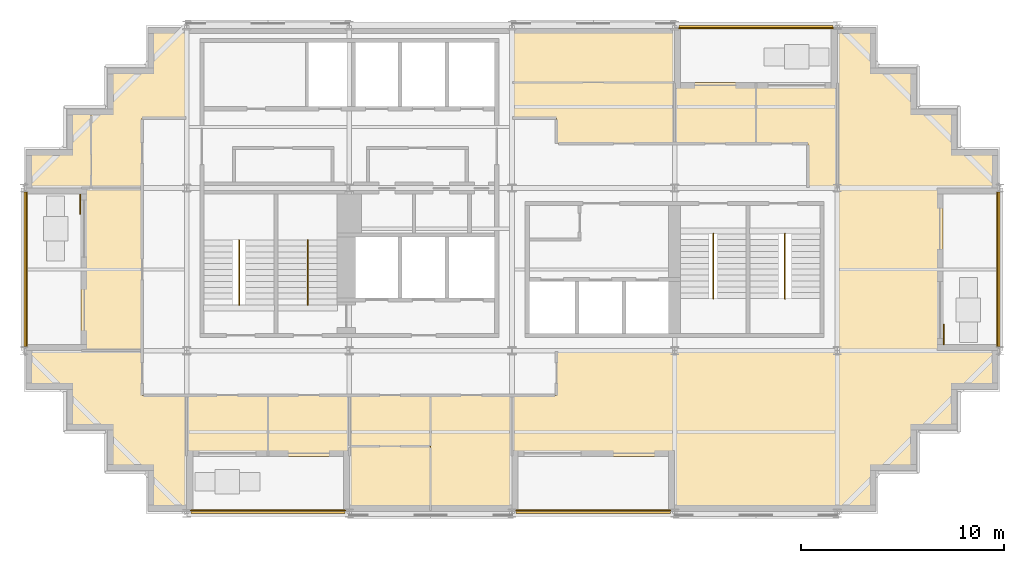
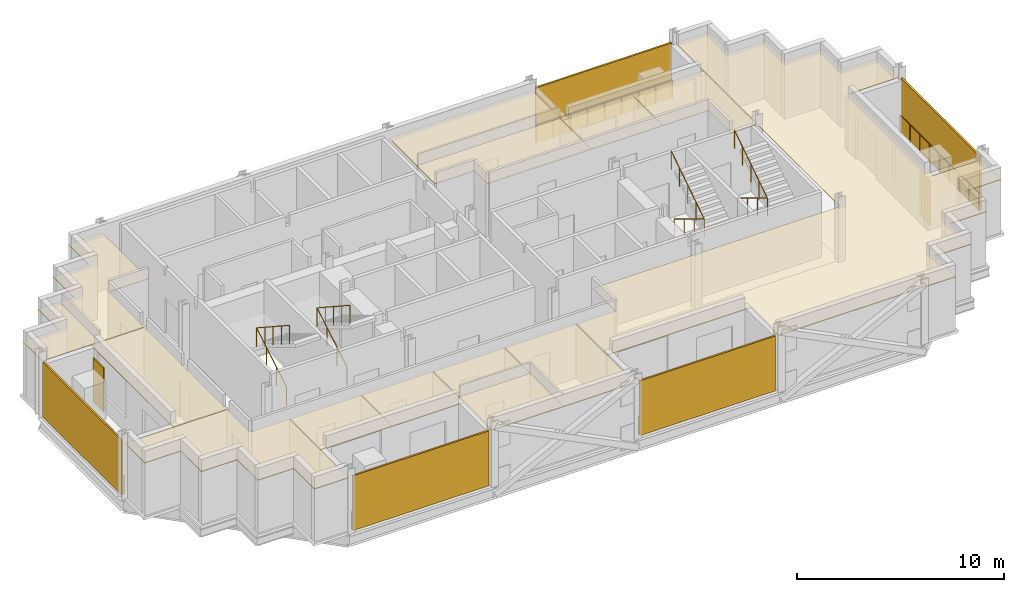
# One storey, part 7 of 8: 14 coverings, 9 railings, 7 shading devices.
"""IFC4 building model written with IfcOpenShell, lengths in metres."""

from ifc_helpers import new_model, si_unit, direction, frame, origin, origin_2d, place, context, subcontext, project, spatial, polyline, rectangle, circle, outline, extrude, material, layer, layer_set, type_object, element, save


model = new_model("IFC4")

# Units and contexts
model_context = context("Model", 3, precision=1e-05, world=origin(), true_north=direction((0.0, 1.0)))
body_context = subcontext(model_context, "Body", "Model", "MODEL_VIEW")
ifc_project = project(units=[si_unit("LENGTHUNIT", "METRE"), si_unit("AREAUNIT", "SQUARE_METRE"), si_unit("VOLUMEUNIT", "CUBIC_METRE"), si_unit("PLANEANGLEUNIT", "RADIAN"), si_unit("MASSUNIT", "GRAM", prefix="KILO")], contexts=[model_context])

# Site, building, storey
site_placement = place(None, origin())
site = spatial("IfcSite", under=ifc_project, at=site_placement, CompositionType="ELEMENT")
building_placement = place(site_placement, origin())
building = spatial("IfcBuilding", under=site, at=building_placement, Name="Immortelle Media Tower", CompositionType="ELEMENT")
storey_placement = place(building_placement, frame((0.0, 0.0, 209.0)))
storey = spatial("IfcBuildingStorey", under=building, at=storey_placement, Name="L44", CompositionType="ELEMENT", Elevation=209.0)

# Railings
ifc_material_1 = material(Name="Powder-coated aluminium fretwork panel, laminated glass backing", Category="aluminium")
railing_type_1 = type_object("IfcRailingType", Name="Fretwork balustrade 1100", PredefinedType="BALUSTRADE", material=ifc_material_1)
railing_1_placement = place(storey_placement, frame((8.200439453125, 0.139892578125, 0.0)))
element("IfcRailing", 1, at=railing_1_placement, inside=storey, type_object=railing_type_1, Name="Fretwork balustrade L44 S0", PredefinedType="BALUSTRADE", context=body_context, shape_type="SweptSolid", body=[
    extrude(circle(Radius=0.02490234375, at=origin_2d()), frame((0.0, 0.0, 1.0751953125), z_axis=(1.0, 0.0, 0.0), x_axis=(0.0, 1.0, 0.0)), (0.0, 0.0, 1.0), 7.593994140625),
    extrude(circle(Radius=0.02001953125, at=origin_2d()), origin(), (0.0, 0.0, 1.0), 1.050048828125),
    extrude(circle(Radius=0.02001953125, at=origin_2d()), frame((0.94921875, 0.0, 0.0)), (0.0, 0.0, 1.0), 1.050048828125),
    extrude(circle(Radius=0.02001953125, at=origin_2d()), frame((1.8984375, 0.0, 0.0)), (0.0, 0.0, 1.0), 1.050048828125),
    extrude(circle(Radius=0.02001953125, at=origin_2d()), frame((2.84765625, 0.0, 0.0)), (0.0, 0.0, 1.0), 1.050048828125),
    extrude(circle(Radius=0.02001953125, at=origin_2d()), frame((3.796875, 0.0, 0.0)), (0.0, 0.0, 1.0), 1.050048828125),
    extrude(circle(Radius=0.02001953125, at=origin_2d()), frame((4.746337890625, 0.0, 0.0)), (0.0, 0.0, 1.0), 1.050048828125),
    extrude(circle(Radius=0.02001953125, at=origin_2d()), frame((5.695556640625, 0.0, 0.0)), (0.0, 0.0, 1.0), 1.050048828125),
    extrude(circle(Radius=0.02001953125, at=origin_2d()), frame((6.644775390625, 0.0, 0.0)), (0.0, 0.0, 1.0), 1.050048828125),
    extrude(circle(Radius=0.02001953125, at=origin_2d()), frame((7.593994140625, 0.0, 0.0)), (0.0, 0.0, 1.0), 1.050048828125),
])
railing_2_placement = place(storey_placement, frame((24.20556640625, 0.139892578125, 0.0)))
element("IfcRailing", 2, at=railing_2_placement, inside=storey, type_object=railing_type_1, Name="Fretwork balustrade L44 S2", PredefinedType="BALUSTRADE", context=body_context, shape_type="SweptSolid", body=[
    extrude(circle(Radius=0.02490234375, at=origin_2d()), frame((0.0, 0.0, 1.0751953125), z_axis=(1.0, 0.0, 0.0), x_axis=(0.0, 1.0, 0.0)), (0.0, 0.0, 1.0), 7.5888671875),
    extrude(circle(Radius=0.02001953125, at=origin_2d()), origin(), (0.0, 0.0, 1.0), 1.050048828125),
    extrude(circle(Radius=0.02001953125, at=origin_2d()), frame((0.94873046875, 0.0, 0.0)), (0.0, 0.0, 1.0), 1.050048828125),
    extrude(circle(Radius=0.02001953125, at=origin_2d()), frame((1.897216796875, 0.0, 0.0)), (0.0, 0.0, 1.0), 1.050048828125),
    extrude(circle(Radius=0.02001953125, at=origin_2d()), frame((2.845703125, 0.0, 0.0)), (0.0, 0.0, 1.0), 1.050048828125),
    extrude(circle(Radius=0.02001953125, at=origin_2d()), frame((3.79443359375, 0.0, 0.0)), (0.0, 0.0, 1.0), 1.050048828125),
    extrude(circle(Radius=0.02001953125, at=origin_2d()), frame((4.7431640625, 0.0, 0.0)), (0.0, 0.0, 1.0), 1.050048828125),
    extrude(circle(Radius=0.02001953125, at=origin_2d()), frame((5.691650390625, 0.0, 0.0)), (0.0, 0.0, 1.0), 1.050048828125),
    extrude(circle(Radius=0.02001953125, at=origin_2d()), frame((6.64013671875, 0.0, 0.0)), (0.0, 0.0, 1.0), 1.050048828125),
    extrude(circle(Radius=0.02001953125, at=origin_2d()), frame((7.5888671875, 0.0, 0.0)), (0.0, 0.0, 1.0), 1.050048828125),
])
railing_3_placement = place(storey_placement, frame((47.860107421875, 8.199462890625, 0.0)))
element("IfcRailing", 3, at=railing_3_placement, inside=storey, type_object=railing_type_1, Name="Fretwork balustrade L44 E0", PredefinedType="BALUSTRADE", context=body_context, shape_type="SweptSolid", body=[
    extrude(circle(Radius=0.02490234375, at=origin_2d()), frame((0.0, 0.0, 1.0751953125), z_axis=(0.0, 1.0, 0.0), x_axis=(-1.0, 0.0, 0.0)), (0.0, 0.0, 1.0), 7.60107421875),
    extrude(circle(Radius=0.02001953125, at=origin_2d()), origin(), (0.0, 0.0, 1.0), 1.050048828125),
    extrude(circle(Radius=0.02001953125, at=origin_2d()), frame((0.0, 0.9501953125, 0.0)), (0.0, 0.0, 1.0), 1.050048828125),
    extrude(circle(Radius=0.02001953125, at=origin_2d()), frame((0.0, 1.900390625, 0.0)), (0.0, 0.0, 1.0), 1.050048828125),
    extrude(circle(Radius=0.02001953125, at=origin_2d()), frame((0.0, 2.850341796875, 0.0)), (0.0, 0.0, 1.0), 1.050048828125),
    extrude(circle(Radius=0.02001953125, at=origin_2d()), frame((0.0, 3.800537109375, 0.0)), (0.0, 0.0, 1.0), 1.050048828125),
    extrude(circle(Radius=0.02001953125, at=origin_2d()), frame((0.0, 4.750732421875, 0.0)), (0.0, 0.0, 1.0), 1.050048828125),
    extrude(circle(Radius=0.02001953125, at=origin_2d()), frame((0.0, 5.70068359375, 0.0)), (0.0, 0.0, 1.0), 1.050048828125),
    extrude(circle(Radius=0.02001953125, at=origin_2d()), frame((0.0, 6.65087890625, 0.0)), (0.0, 0.0, 1.0), 1.050048828125),
    extrude(circle(Radius=0.02001953125, at=origin_2d()), frame((0.0, 7.60107421875, 0.0)), (0.0, 0.0, 1.0), 1.050048828125),
])
railing_4_placement = place(storey_placement, frame((39.799560546875, 23.860107421875, 0.0)))
element("IfcRailing", 4, at=railing_4_placement, inside=storey, type_object=railing_type_1, Name="Fretwork balustrade L44 N0", PredefinedType="BALUSTRADE", context=body_context, shape_type="SweptSolid", body=[
    extrude(circle(Radius=0.02490234375, at=origin_2d()), frame((0.0, 0.0, 1.0751953125), z_axis=(-1.0, 0.0, 0.0), x_axis=(0.0, -1.0, 0.0)), (0.0, 0.0, 1.0), 7.593994140625),
    extrude(circle(Radius=0.02001953125, at=origin_2d()), origin(), (0.0, 0.0, 1.0), 1.050048828125),
    extrude(circle(Radius=0.02001953125, at=origin_2d()), frame((-0.94921875, 0.0, 0.0)), (0.0, 0.0, 1.0), 1.050048828125),
    extrude(circle(Radius=0.02001953125, at=origin_2d()), frame((-1.8984375, 0.0, 0.0)), (0.0, 0.0, 1.0), 1.050048828125),
    extrude(circle(Radius=0.02001953125, at=origin_2d()), frame((-2.84765625, 0.0, 0.0)), (0.0, 0.0, 1.0), 1.050048828125),
    extrude(circle(Radius=0.02001953125, at=origin_2d()), frame((-3.796875, 0.0, 0.0)), (0.0, 0.0, 1.0), 1.050048828125),
    extrude(circle(Radius=0.02001953125, at=origin_2d()), frame((-4.746337890625, 0.0, 0.0)), (0.0, 0.0, 1.0), 1.050048828125),
    extrude(circle(Radius=0.02001953125, at=origin_2d()), frame((-5.695556640625, 0.0, 0.0)), (0.0, 0.0, 1.0), 1.050048828125),
    extrude(circle(Radius=0.02001953125, at=origin_2d()), frame((-6.644775390625, 0.0, 0.0)), (0.0, 0.0, 1.0), 1.050048828125),
    extrude(circle(Radius=0.02001953125, at=origin_2d()), frame((-7.593994140625, 0.0, 0.0)), (0.0, 0.0, 1.0), 1.050048828125),
])
railing_5_placement = place(storey_placement, frame((0.139892578125, 15.800537109375, 0.0)))
element("IfcRailing", 5, at=railing_5_placement, inside=storey, type_object=railing_type_1, Name="Fretwork balustrade L44 W0", PredefinedType="BALUSTRADE", context=body_context, shape_type="SweptSolid", body=[
    extrude(circle(Radius=0.02490234375, at=origin_2d()), frame((0.0, 0.0, 1.0751953125), z_axis=(0.0, -1.0, 0.0), x_axis=(1.0, 0.0, 0.0)), (0.0, 0.0, 1.0), 7.60107421875),
    extrude(circle(Radius=0.02001953125, at=origin_2d()), origin(), (0.0, 0.0, 1.0), 1.050048828125),
    extrude(circle(Radius=0.02001953125, at=origin_2d()), frame((0.0, -0.9501953125, 0.0)), (0.0, 0.0, 1.0), 1.050048828125),
    extrude(circle(Radius=0.02001953125, at=origin_2d()), frame((0.0, -1.900390625, 0.0)), (0.0, 0.0, 1.0), 1.050048828125),
    extrude(circle(Radius=0.02001953125, at=origin_2d()), frame((0.0, -2.850341796875, 0.0)), (0.0, 0.0, 1.0), 1.050048828125),
    extrude(circle(Radius=0.02001953125, at=origin_2d()), frame((0.0, -3.800537109375, 0.0)), (0.0, 0.0, 1.0), 1.050048828125),
    extrude(circle(Radius=0.02001953125, at=origin_2d()), frame((0.0, -4.750732421875, 0.0)), (0.0, 0.0, 1.0), 1.050048828125),
    extrude(circle(Radius=0.02001953125, at=origin_2d()), frame((0.0, -5.70068359375, 0.0)), (0.0, 0.0, 1.0), 1.050048828125),
    extrude(circle(Radius=0.02001953125, at=origin_2d()), frame((0.0, -6.65087890625, 0.0)), (0.0, 0.0, 1.0), 1.050048828125),
    extrude(circle(Radius=0.02001953125, at=origin_2d()), frame((0.0, -7.60107421875, 0.0)), (0.0, 0.0, 1.0), 1.050048828125),
])

# Shading devices
ifc_material_2 = material(Name="Pale aluminium louvre blades", Category="aluminium")
ifc_layer_1 = layer(ifc_material_2, 0.10009765625)
ifc_layer_set_1 = layer_set([ifc_layer_1], Name="Pale aluminium louvre blades")
shading_device_type_1 = type_object("IfcShadingDeviceType", Name="Jalousie screen 100", PredefinedType="JALOUSIE", material=ifc_layer_set_1)
shading_device_1_placement = place(storey_placement, frame((11.99755859375, 0.050048828125, 0.0), z_axis=(0.0, 0.0, 1.0), x_axis=(1.0, 0.0, 0.0)))
element("IfcShadingDevice", 6, at=shading_device_1_placement, inside=storey, type_object=shading_device_type_1, Name="Jalousie screen L44 S0", PredefinedType="JALOUSIE", context=body_context, shape_type="SweptSolid", body=[
    extrude(rectangle(XDim=7.593994140625, YDim=0.10009765625, at=origin_2d()), origin(), (0.0, 0.0, 1.0), 3.238037109375),
])
shading_device_2_placement = place(storey_placement, frame((28.0, 0.050048828125, 0.0), z_axis=(0.0, 0.0, 1.0), x_axis=(1.0, 0.0, 0.0)))
element("IfcShadingDevice", 7, at=shading_device_2_placement, inside=storey, type_object=shading_device_type_1, Name="Jalousie screen L44 S2", PredefinedType="JALOUSIE", context=body_context, shape_type="SweptSolid", body=[
    extrude(rectangle(XDim=7.589111328125, YDim=0.10009765625, at=origin_2d()), origin(), (0.0, 0.0, 1.0), 3.238037109375),
])
shading_device_3_placement = place(storey_placement, frame((47.949951171875, 12.0, 0.0), z_axis=(0.0, 0.0, 1.0), x_axis=(0.0, 1.0, 0.0)))
element("IfcShadingDevice", 8, at=shading_device_3_placement, inside=storey, type_object=shading_device_type_1, Name="Jalousie screen L44 E0", PredefinedType="JALOUSIE", context=body_context, shape_type="SweptSolid", body=[
    extrude(rectangle(XDim=7.60107421875, YDim=0.10009765625, at=origin_2d()), origin(), (0.0, 0.0, 1.0), 3.238037109375),
])
shading_device_4_placement = place(storey_placement, frame((36.00244140625, 23.949951171875, 0.0), z_axis=(0.0, 0.0, 1.0), x_axis=(-1.0, 0.0, 0.0)))
element("IfcShadingDevice", 9, at=shading_device_4_placement, inside=storey, type_object=shading_device_type_1, Name="Jalousie screen L44 N0", PredefinedType="JALOUSIE", context=body_context, shape_type="SweptSolid", body=[
    extrude(rectangle(XDim=7.593994140625, YDim=0.10009765625, at=origin_2d()), origin(), (0.0, 0.0, 1.0), 3.238037109375),
])
shading_device_5_placement = place(storey_placement, frame((0.050048828125, 12.0, 0.0), z_axis=(0.0, 0.0, 1.0), x_axis=(0.0, -1.0, 0.0)))
element("IfcShadingDevice", 10, at=shading_device_5_placement, inside=storey, type_object=shading_device_type_1, Name="Jalousie screen L44 W0", PredefinedType="JALOUSIE", context=body_context, shape_type="SweptSolid", body=[
    extrude(rectangle(XDim=7.60107421875, YDim=0.10009765625, at=origin_2d()), origin(), (0.0, 0.0, 1.0), 3.238037109375),
])
ifc_material_3 = material(Name="Pale aluminium louvre blades in a folding frame", Category="aluminium")
ifc_layer_2 = layer(ifc_material_3, 0.050048828125)
ifc_layer_set_2 = layer_set([ifc_layer_2], Name="Pale aluminium louvre blades in a folding frame")
shading_device_type_2 = type_object("IfcShadingDeviceType", Name="Louvred loggia shutter", PredefinedType="SHUTTER", material=ifc_layer_set_2)
for number, where, z_axis, x_axis, name in (
    (11, (45.22509765625, 8.800048828125, 0.0), (0.0, 0.0, 1.0), (0.0, 1.0, 0.0), "Loggia shutter L44 E0"),
    (12, (2.77490234375, 15.199951171875, 0.0), (0.0, 0.0, 1.0), (0.0, -1.0, 0.0), "Loggia shutter L44 W0"),
):
    element("IfcShadingDevice", number, at=place(storey_placement, frame(where, z_axis=z_axis, x_axis=x_axis)), inside=storey, type_object=shading_device_type_2, Name=name, PredefinedType="SHUTTER", context=body_context, shape_type="SweptSolid", body=[
        extrude(rectangle(XDim=1.0, YDim=0.050048828125, at=origin_2d()), origin(), (0.0, 0.0, 1.0), 2.60009765625),
    ])

# Railings
ifc_material_4 = material(Name="Stainless steel AISI 316", Category="steel")
railing_type_2 = type_object("IfcRailingType", Name="Stair guard 1100", PredefinedType="GUARDRAIL", material=ifc_material_4)
for number, where, name in (
    (13, (10.574951171875, 10.5400390625, 0.173828125), "Stair guard SW1"),
    (14, (13.949951171875, 10.5400390625, 0.173828125), "Stair guard SW2"),
):
    element("IfcRailing", number, at=place(storey_placement, frame(where)), inside=storey, type_object=railing_type_2, Name=name, PredefinedType="GUARDRAIL", context=body_context, shape_type="SweptSolid", body=[
        extrude(circle(Radius=0.02392578125, at=origin_2d()), frame((0.0, 0.0, 1.076171875), z_axis=(0.0, 0.857582100076, 0.514347102285), x_axis=(-1.0, 0.0, 0.0)), (0.0, 0.0, 1.0), 3.381591796875),
        extrude(circle(Radius=0.02392578125, at=origin_2d()), frame((0.0, 2.89990234375, 2.8154296875), z_axis=(0.0, -0.836827423118, 0.547466769693), x_axis=(1.0, 0.0, 0.0)), (0.0, 0.0, 1.0), 3.81201171875),
        extrude(circle(Radius=0.02099609375, at=origin_2d()), origin(), (0.0, 0.0, 1.0), 1.052001953125),
        extrude(circle(Radius=0.02099609375, at=origin_2d()), frame((0.0, 0.966552734375, 0.579833984375)), (0.0, 0.0, 1.0), 1.052001953125),
        extrude(circle(Radius=0.02099609375, at=origin_2d()), frame((0.0, 1.933349609375, 1.159423828125)), (0.0, 0.0, 1.0), 1.052001953125),
        extrude(circle(Radius=0.02099609375, at=origin_2d()), frame((0.0, 2.89990234375, 1.7392578125)), (0.0, 0.0, 1.0), 1.052001953125),
        extrude(circle(Radius=0.02099609375, at=origin_2d()), frame((0.0, 2.1025390625, 2.260986328125)), (0.0, 0.0, 1.0), 1.052001953125),
        extrude(circle(Radius=0.02099609375, at=origin_2d()), frame((0.0, 1.304931640625, 2.78271484375)), (0.0, 0.0, 1.0), 1.052001953125),
        extrude(circle(Radius=0.02099609375, at=origin_2d()), frame((0.0, 0.50732421875, 3.304443359375)), (0.0, 0.0, 1.0), 1.052001953125),
        extrude(circle(Radius=0.02099609375, at=origin_2d()), frame((0.0, -0.2900390625, 3.826171875)), (0.0, 0.0, 1.0), 1.052001953125),
    ])
for number, where, name in (
    (15, (33.89990234375, 13.4599609375, 0.173828125), "Stair guard SE1"),
    (16, (37.425048828125, 13.4599609375, 0.173828125), "Stair guard SE2"),
):
    element("IfcRailing", number, at=place(storey_placement, frame(where)), inside=storey, type_object=railing_type_2, Name=name, PredefinedType="GUARDRAIL", context=body_context, shape_type="SweptSolid", body=[
        extrude(circle(Radius=0.02392578125, at=origin_2d()), frame((0.0, 0.0, 1.076171875), z_axis=(0.0, -0.857582100076, 0.514347102285), x_axis=(1.0, 0.0, 0.0)), (0.0, 0.0, 1.0), 3.381591796875),
        extrude(circle(Radius=0.02392578125, at=origin_2d()), frame((0.0, -2.89990234375, 2.8154296875), z_axis=(0.0, 0.836827423118, 0.547466769693), x_axis=(-1.0, 0.0, 0.0)), (0.0, 0.0, 1.0), 3.81201171875),
        extrude(circle(Radius=0.02099609375, at=origin_2d()), origin(), (0.0, 0.0, 1.0), 1.052001953125),
        extrude(circle(Radius=0.02099609375, at=origin_2d()), frame((0.0, -0.966552734375, 0.579833984375)), (0.0, 0.0, 1.0), 1.052001953125),
        extrude(circle(Radius=0.02099609375, at=origin_2d()), frame((0.0, -1.933349609375, 1.159423828125)), (0.0, 0.0, 1.0), 1.052001953125),
        extrude(circle(Radius=0.02099609375, at=origin_2d()), frame((0.0, -2.89990234375, 1.7392578125)), (0.0, 0.0, 1.0), 1.052001953125),
        extrude(circle(Radius=0.02099609375, at=origin_2d()), frame((0.0, -2.1025390625, 2.260986328125)), (0.0, 0.0, 1.0), 1.052001953125),
        extrude(circle(Radius=0.02099609375, at=origin_2d()), frame((0.0, -1.304931640625, 2.78271484375)), (0.0, 0.0, 1.0), 1.052001953125),
        extrude(circle(Radius=0.02099609375, at=origin_2d()), frame((0.0, -0.50732421875, 3.304443359375)), (0.0, 0.0, 1.0), 1.052001953125),
        extrude(circle(Radius=0.02099609375, at=origin_2d()), frame((0.0, 0.2900390625, 3.826171875)), (0.0, 0.0, 1.0), 1.052001953125),
    ])

# Coverings
ifc_material_5 = material(Name="Mineral fibre tile ceiling")
ifc_layer_3 = layer(ifc_material_5, 0.050048828125)
ifc_layer_set_3 = layer_set([ifc_layer_3], Name="Mineral fibre tile ceiling")
covering_type = type_object("IfcCoveringType", Name="Suspended ceiling 50", PredefinedType="CEILING", material=ifc_layer_set_3)
covering_1_placement = place(storey_placement, frame((0.0, 0.0, 3.10693359375)))
element("IfcCovering", 17, at=covering_1_placement, inside=storey, type_object=covering_type, Name="Ceiling L44-001", PredefinedType="CEILING", context=body_context, shape_type="SweptSolid", body=[
    extrude(outline(polyline([(16.0, 5.800048828125), (20.0, 5.800048828125), (20.0, 3.300048828125), (16.0, 3.300048828125), (16.0, 5.800048828125)])), origin(), (0.0, 0.0, 1.0), 0.050048828125),
])
covering_2_placement = place(storey_placement, frame((0.0, 0.0, 3.10693359375)))
element("IfcCovering", 18, at=covering_2_placement, inside=storey, type_object=covering_type, Name="Ceiling L44-002", PredefinedType="CEILING", context=body_context, shape_type="SweptSolid", body=[
    extrude(outline(polyline([(16.0, 3.300048828125), (20.0, 3.300048828125), (20.0, 0.10009765625), (16.0, 0.10009765625), (16.0, 2.800048828125), (16.0, 3.300048828125)])), origin(), (0.0, 0.0, 1.0), 0.050048828125),
])
covering_3_placement = place(storey_placement, frame((0.0, 0.0, 3.10693359375)))
element("IfcCovering", 19, at=covering_3_placement, inside=storey, type_object=covering_type, Name="Ceiling L44-003", PredefinedType="CEILING", context=body_context, shape_type="SweptSolid", body=[
    extrude(outline(polyline([(24.0, 5.800048828125), (24.0, 2.800048828125), (24.0, 0.10009765625), (20.0, 0.10009765625), (20.0, 5.800048828125), (24.0, 5.800048828125)])), origin(), (0.0, 0.0, 1.0), 0.050048828125),
])
covering_4_placement = place(storey_placement, frame((0.0, 0.0, 3.10693359375)))
element("IfcCovering", 20, at=covering_4_placement, inside=storey, type_object=covering_type, Name="Ceiling L44-004", PredefinedType="CEILING", context=body_context, shape_type="SweptSolid", body=[
    extrude(outline(polyline([(8.0, 5.800048828125), (12.0, 5.800048828125), (12.0, 2.800048828125), (8.0, 2.800048828125), (8.0, 5.800048828125)])), origin(), (0.0, 0.0, 1.0), 0.050048828125),
])
covering_5_placement = place(storey_placement, frame((0.0, 0.0, 3.10693359375)))
element("IfcCovering", 21, at=covering_5_placement, inside=storey, type_object=covering_type, Name="Ceiling L44-005", PredefinedType="CEILING", context=body_context, shape_type="SweptSolid", body=[
    extrude(outline(polyline([(16.0, 5.800048828125), (16.0, 2.800048828125), (12.0, 2.800048828125), (12.0, 5.800048828125), (16.0, 5.800048828125)])), origin(), (0.0, 0.0, 1.0), 0.050048828125),
])
covering_6_placement = place(storey_placement, frame((0.0, 0.0, 3.10693359375)))
element("IfcCovering", 22, at=covering_6_placement, inside=storey, type_object=covering_type, Name="Ceiling L44-006", PredefinedType="CEILING", context=body_context, shape_type="SweptSolid", body=[
    extrude(outline(polyline([(4.10009765625, 2.10009765625), (4.10009765625, 4.10009765625), (4.0, 4.10009765625), (2.10009765625, 4.10009765625), (2.10009765625, 6.10009765625), (0.10009765625, 6.10009765625), (0.10009765625, 8.0), (2.800048828125, 8.0), (4.0, 8.0), (5.800048828125, 8.0), (5.800048828125, 5.800048828125), (8.0, 5.800048828125), (8.0, 2.800048828125), (8.0, 0.10009765625), (6.10009765625, 0.10009765625), (6.10009765625, 2.10009765625), (4.10009765625, 2.10009765625)])), origin(), (0.0, 0.0, 1.0), 0.050048828125),
])
covering_7_placement = place(storey_placement, frame((0.0, 0.0, 3.10693359375)))
element("IfcCovering", 23, at=covering_7_placement, inside=storey, type_object=covering_type, Name="Ceiling L44-007", PredefinedType="CEILING", context=body_context, shape_type="SweptSolid", body=[
    extrude(outline(polyline([(26.199951171875, 5.800048828125), (26.199951171875, 8.0), (32.0, 8.0), (40.0, 8.0), (40.0, 16.0), (40.0, 21.199951171875), (40.0, 23.89990234375), (41.89990234375, 23.89990234375), (41.89990234375, 21.89990234375), (43.89990234375, 21.89990234375), (43.89990234375, 19.89990234375), (45.89990234375, 19.89990234375), (45.89990234375, 17.89990234375), (47.89990234375, 17.89990234375), (47.89990234375, 16.0), (45.199951171875, 16.0), (45.199951171875, 8.0), (47.89990234375, 8.0), (47.89990234375, 6.10009765625), (45.89990234375, 6.10009765625), (45.89990234375, 4.10009765625), (43.89990234375, 4.10009765625), (43.89990234375, 2.10009765625), (41.89990234375, 2.10009765625), (41.89990234375, 0.10009765625), (40.0, 0.10009765625), (32.0, 0.10009765625), (32.0, 2.800048828125), (24.0, 2.800048828125), (24.0, 5.800048828125), (26.199951171875, 5.800048828125)])), origin(), (0.0, 0.0, 1.0), 0.050048828125),
])
covering_8_placement = place(storey_placement, frame((0.0, 0.0, 3.10693359375)))
element("IfcCovering", 24, at=covering_8_placement, inside=storey, type_object=covering_type, Name="Ceiling L44-008", PredefinedType="CEILING", context=body_context, shape_type="SweptSolid", body=[
    extrude(outline(polyline([(5.800048828125, 8.0), (2.800048828125, 8.0), (2.800048828125, 16.0), (5.800048828125, 16.0), (5.800048828125, 8.0)])), origin(), (0.0, 0.0, 1.0), 0.050048828125),
])
covering_9_placement = place(storey_placement, frame((0.0, 0.0, 3.10693359375)))
element("IfcCovering", 25, at=covering_9_placement, inside=storey, type_object=covering_type, Name="Ceiling L44-009", PredefinedType="CEILING", context=body_context, shape_type="SweptSolid", body=[
    extrude(outline(polyline([(5.800048828125, 16.0), (3.300048828125, 16.0), (3.300048828125, 19.89990234375), (4.10009765625, 19.89990234375), (4.10009765625, 21.89990234375), (6.10009765625, 21.89990234375), (6.10009765625, 23.89990234375), (8.0, 23.89990234375), (8.0, 19.449951171875), (5.800048828125, 19.449951171875), (5.800048828125, 16.0)])), origin(), (0.0, 0.0, 1.0), 0.050048828125),
])
covering_10_placement = place(storey_placement, frame((0.0, 0.0, 3.10693359375)))
element("IfcCovering", 26, at=covering_10_placement, inside=storey, type_object=covering_type, Name="Ceiling L44-010", PredefinedType="CEILING", context=body_context, shape_type="SweptSolid", body=[
    extrude(outline(polyline([(2.800048828125, 16.0), (0.10009765625, 16.0), (0.10009765625, 17.89990234375), (2.10009765625, 17.89990234375), (2.10009765625, 19.89990234375), (3.300048828125, 19.89990234375), (3.300048828125, 16.0), (2.800048828125, 16.0)])), origin(), (0.0, 0.0, 1.0), 0.050048828125),
])
covering_11_placement = place(storey_placement, frame((0.0, 0.0, 3.10693359375)))
element("IfcCovering", 27, at=covering_11_placement, inside=storey, type_object=covering_type, Name="Ceiling L44-011", PredefinedType="CEILING", context=body_context, shape_type="SweptSolid", body=[
    extrude(outline(polyline([(32.0, 18.199951171875), (32.0, 21.199951171875), (36.0, 21.199951171875), (36.0, 18.199951171875), (32.0, 18.199951171875)])), origin(), (0.0, 0.0, 1.0), 0.050048828125),
])
covering_12_placement = place(storey_placement, frame((0.0, 0.0, 3.10693359375)))
element("IfcCovering", 28, at=covering_12_placement, inside=storey, type_object=covering_type, Name="Ceiling L44-012", PredefinedType="CEILING", context=body_context, shape_type="SweptSolid", body=[
    extrude(outline(polyline([(38.550048828125, 18.199951171875), (36.0, 18.199951171875), (36.0, 21.199951171875), (40.0, 21.199951171875), (40.0, 16.0), (38.550048828125, 16.0), (38.550048828125, 18.199951171875)])), origin(), (0.0, 0.0, 1.0), 0.050048828125),
])
covering_13_placement = place(storey_placement, frame((0.0, 0.0, 3.10693359375)))
element("IfcCovering", 29, at=covering_13_placement, inside=storey, type_object=covering_type, Name="Ceiling L44-013", PredefinedType="CEILING", context=body_context, shape_type="SweptSolid", body=[
    extrude(outline(polyline([(26.199951171875, 18.199951171875), (26.199951171875, 19.449951171875), (24.0, 19.449951171875), (24.0, 21.199951171875), (32.0, 21.199951171875), (32.0, 18.199951171875), (27.0, 18.199951171875), (26.199951171875, 18.199951171875)])), origin(), (0.0, 0.0, 1.0), 0.050048828125),
])
covering_14_placement = place(storey_placement, frame((0.0, 0.0, 3.10693359375)))
element("IfcCovering", 30, at=covering_14_placement, inside=storey, type_object=covering_type, Name="Ceiling L44-014", PredefinedType="CEILING", context=body_context, shape_type="SweptSolid", body=[
    extrude(outline(polyline([(24.0, 23.89990234375), (32.0, 23.89990234375), (32.0, 21.199951171875), (24.0, 21.199951171875), (24.0, 23.89990234375)])), origin(), (0.0, 0.0, 1.0), 0.050048828125),
])

save(model, "model.ifc")
